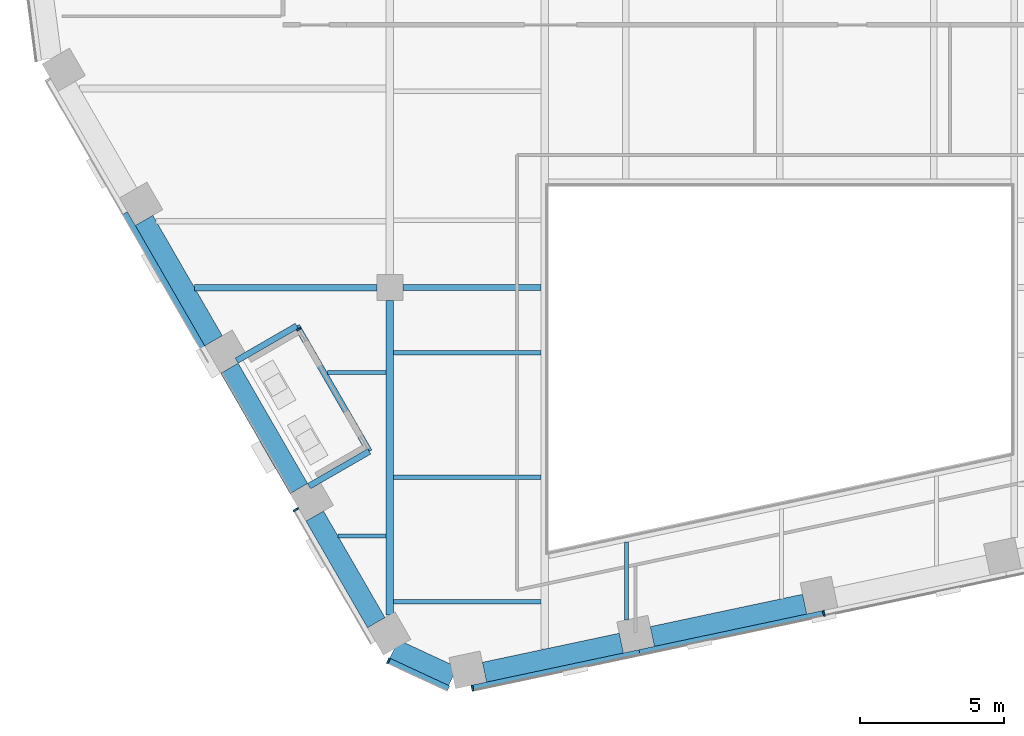
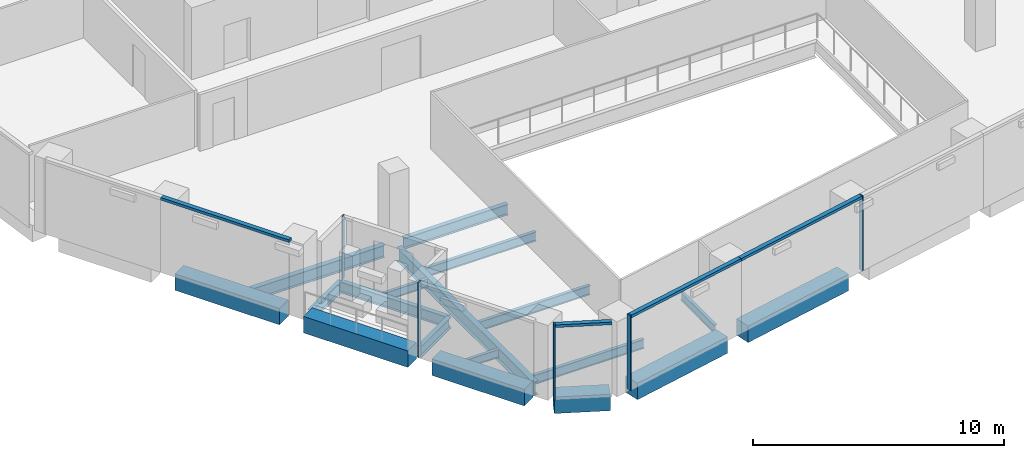
# One storey, part 2 of 25: 18 beams, 9 members, 4 elements without a shape of their own.
"""IFC4 building model written with IfcOpenShell, lengths in metres."""

import ifcopenshell
import ifcopenshell.guid

model = None  # the IFC model being written
_history = None  # IfcOwnerHistory: only IFC2X3 demands one
_inside = {}  # id of a spatial element -> (the spatial element, [elements in it])
_under = {}  # id of a project, library or spatial element -> (it, [spatial elements below it])
_declared = {}  # id of a project -> (the project, [libraries it declares])
_typed = {}  # id of a type object -> (the type object, [elements of that type])
_made_of = {}  # id of a material, layer set ... -> (it, [elements and type objects made of it])


def new_model(schema):
    """Start an empty IFC model of exactly this schema.

    Asked for "IFC4X3", IfcOpenShell would pick the latest addendum, in which some entities
    have other attributes; the version numbers below select the first issue.
    IFC2X3 requires an IfcOwnerHistory on every rooted entity: one is made here for all.
    """
    global model, _history
    if schema == "IFC4X3":
        model = ifcopenshell.file(schema_version=(4, 3, 0, 0))
    else:
        model = ifcopenshell.file(schema=schema)
    _inside.clear()
    _under.clear()
    _declared.clear()
    _typed.clear()
    _made_of.clear()
    _history = None
    if model.schema == "IFC2X3":
        org = make("IfcOrganization", Name="unknown")
        user = make(
            "IfcPersonAndOrganization",
            ThePerson=make("IfcPerson", FamilyName="unknown"),
            TheOrganization=org,
        )
        app = make(
            "IfcApplication",
            ApplicationDeveloper=org,
            Version="unknown",
            ApplicationFullName="unknown",
            ApplicationIdentifier="unknown",
        )
        _history = make(
            "IfcOwnerHistory",
            OwningUser=user,
            OwningApplication=app,
            ChangeAction="ADDED",
            CreationDate=0,
        )
    return model


def make(cls, **values):
    """One entity of the class cls with the attributes given. An attribute that is None is left unset."""
    return model.create_entity(
        cls, **{name: value for name, value in values.items() if value is not None}
    )


def rooted(cls, **values):
    """An entity with a GlobalId (a new one), such as an element, a storey or a relation."""
    return make(cls, GlobalId=ifcopenshell.guid.new(), OwnerHistory=_history, **values)


def si_unit(unit_type, name, prefix=None):
    """IfcSIUnit, for example si_unit("LENGTHUNIT", "METRE", prefix="MILLI")."""
    return make("IfcSIUnit", UnitType=unit_type, Prefix=prefix, Name=name)


def assignment(units):
    """IfcUnitAssignment: the units of a project."""
    return None if units is None else make("IfcUnitAssignment", Units=units)


def point(xyz):
    """IfcCartesianPoint."""
    return None if xyz is None else make("IfcCartesianPoint", Coordinates=xyz)


def direction(xyz):
    """IfcDirection."""
    return None if xyz is None else make("IfcDirection", DirectionRatios=xyz)


def frame(location, z_axis=None, x_axis=None):
    """IfcAxis2Placement3D, a coordinate frame: its origin and axes. An axis left out is left unset."""
    return make(
        "IfcAxis2Placement3D",
        Location=point(location),
        Axis=direction(z_axis),
        RefDirection=direction(x_axis),
    )


def frame_2d(location, x_axis=None):
    """IfcAxis2Placement2D, a coordinate frame in the plane: its origin and x axis."""
    return make(
        "IfcAxis2Placement2D", Location=point(location), RefDirection=direction(x_axis)
    )


def origin():
    """The frame at (0, 0, 0) with its axes left unset."""
    return frame((0.0, 0.0, 0.0))


def origin_2d():
    """The frame at (0, 0) in the plane with its x axis left unset."""
    return frame_2d((0.0, 0.0))


def place(relative_to, where):
    """IfcLocalPlacement: puts the frame where relative to a parent placement (None: the world)."""
    return make(
        "IfcLocalPlacement", PlacementRelTo=relative_to, RelativePlacement=where
    )


def context(
    kind, dimensions, precision=None, world=None, true_north=None, identifier=None
):
    """IfcGeometricRepresentationContext, for example the 3D "Model" context."""
    return make(
        "IfcGeometricRepresentationContext",
        ContextIdentifier=identifier,
        ContextType=kind,
        CoordinateSpaceDimension=dimensions,
        Precision=precision,
        WorldCoordinateSystem=world,
        TrueNorth=true_north,
    )


def subcontext(parent, identifier, kind, view, scale=None):
    """IfcGeometricRepresentationSubContext, for example "Body" below "Model"."""
    return make(
        "IfcGeometricRepresentationSubContext",
        ContextIdentifier=identifier,
        ContextType=kind,
        ParentContext=parent,
        TargetScale=scale,
        TargetView=view,
    )


def project(units=None, contexts=None):
    """IfcProject with its units and contexts."""
    return rooted(
        "IfcProject",
        Name="project",
        RepresentationContexts=contexts,
        UnitsInContext=assignment(units),
    )


def spatial(cls, under=None, at=None, **own):
    """A site, building, storey or space (cls), placed at a placement, below another one or the project."""
    s = rooted(cls, ObjectPlacement=at, **own)
    if under is not None:
        _under.setdefault(under.id(), (under, []))[1].append(s)
    return s


def profile(cls, at=None, kind="AREA", **sizes):
    """A parametric profile (cls). Its sizes go by their IFC names, for example OverallWidth=200.0."""
    return make(cls, ProfileType=kind, Position=at, **sizes)


def rectangle(**sizes):
    """IfcRectangleProfileDef."""
    return profile("IfcRectangleProfileDef", **sizes)


def i_section(**sizes):
    """IfcIShapeProfileDef."""
    return profile("IfcIShapeProfileDef", **sizes)


def extrude(swept, where, along, depth):
    """IfcExtrudedAreaSolid: the profile swept, set in the frame where, extruded along a direction by depth."""
    return make(
        "IfcExtrudedAreaSolid",
        SweptArea=swept,
        Position=where,
        ExtrudedDirection=direction(along),
        Depth=depth,
    )


def shape(context_of_items, identifier, shape_type, items):
    """IfcShapeRepresentation: the items that make up one representation, for example the "Body"."""
    return make(
        "IfcShapeRepresentation",
        ContextOfItems=context_of_items,
        RepresentationIdentifier=identifier,
        RepresentationType=shape_type,
        Items=items,
    )


def material(Name=None, Category=None):
    """IfcMaterial."""
    return make("IfcMaterial", Name=Name, Category=Category)


def layer(
    of_material, thickness, ventilated=None, Name=None, Category=None, Priority=None
):
    """IfcMaterialLayer: one layer of a wall or slab, of a material (None: an air gap)."""
    return make(
        "IfcMaterialLayer",
        Material=of_material,
        LayerThickness=thickness,
        IsVentilated=ventilated,
        Name=Name,
        Category=Category,
        Priority=Priority,
    )


def layer_set(layers, Name=None):
    """IfcMaterialLayerSet."""
    return make("IfcMaterialLayerSet", MaterialLayers=layers, LayerSetName=Name)


def material_profile(
    of_material, cross_section, Name=None, Category=None, Priority=None
):
    """IfcMaterialProfile: a cross section and its material."""
    return make(
        "IfcMaterialProfile",
        Name=Name,
        Material=of_material,
        Profile=cross_section,
        Priority=Priority,
        Category=Category,
    )


def profile_set(profiles, Name=None, composite=None):
    """IfcMaterialProfileSet."""
    return make(
        "IfcMaterialProfileSet",
        Name=Name,
        MaterialProfiles=profiles,
        CompositeProfile=composite,
    )


def made_of(thing, what):
    """Note that an element or type object is made of a material, layer set ...; save() writes the relation."""
    if what is not None:
        _made_of.setdefault(what.id(), (what, []))[1].append(thing)
    return thing


def type_object(cls, material=None, **own):
    """A type object (cls), such as IfcWallType, which elements share."""
    return made_of(rooted(cls, **own), material)


def element(
    cls,
    number,
    at=None,
    inside=None,
    cuts=None,
    type_object=None,
    material=None,
    context=None,
    identifier="Body",
    shape_type=None,
    held_by="IfcProductDefinitionShape",
    body=None,
    shapes=None,
    **own,
):
    """One element of the class cls, such as IfcWall. Its Tag is "e" and its number.

    at: its placement. inside: the storey or other place that contains it. cuts: it is an
    opening in that element (IfcRelVoidsElement). A single representation is given by context,
    identifier, shape_type and body (its items); several are given by shapes. held_by: the class
    of the entity that holds the representations. save() writes the other relations.
    """
    e = rooted(cls, Tag="e%d" % number, ObjectPlacement=at, **own)
    if body is not None:
        shapes = [shape(context, identifier, shape_type, body)]
    if shapes is not None:
        e.Representation = make(held_by, Representations=shapes)
    if inside is not None:
        _inside.setdefault(inside.id(), (inside, []))[1].append(e)
    if cuts is not None:
        rooted(
            "IfcRelVoidsElement", RelatingBuildingElement=cuts, RelatedOpeningElement=e
        )
    if type_object is not None:
        _typed.setdefault(type_object.id(), (type_object, []))[1].append(e)
    return made_of(e, material)


def aggregate(whole, parts):
    """IfcRelAggregates: a whole, such as a stair, and the parts it consists of."""
    return rooted("IfcRelAggregates", RelatingObject=whole, RelatedObjects=parts)


def save(model, path):
    """Write the relations noted so far, then the file.

    IfcRelAggregates (storeys below a building ...), IfcRelContainedInSpatialStructure (elements
    in a storey), IfcRelDefinesByType, IfcRelAssociatesMaterial and IfcRelDeclares: one each for
    every whole, place, type object, material and project.
    """
    for whole, parts in _under.values():
        aggregate(whole, parts)
    for where, things in _inside.values():
        rooted(
            "IfcRelContainedInSpatialStructure",
            RelatedElements=things,
            RelatingStructure=where,
        )
    for kind, things in _typed.values():
        rooted("IfcRelDefinesByType", RelatedObjects=things, RelatingType=kind)
    for what, things in _made_of.values():
        rooted("IfcRelAssociatesMaterial", RelatedObjects=things, RelatingMaterial=what)
    for by, libraries in _declared.values():
        rooted("IfcRelDeclares", RelatingContext=by, RelatedDefinitions=libraries)
    model.write(path)


model = new_model("IFC4")

# Units and contexts
model_context = context("Model", 3, precision=1e-05, world=origin(), true_north=direction((0.0, 1.0)))
body_context = subcontext(model_context, "Body", "Model", "MODEL_VIEW")
ifc_project = project(units=[si_unit("LENGTHUNIT", "METRE"), si_unit("AREAUNIT", "SQUARE_METRE"), si_unit("VOLUMEUNIT", "CUBIC_METRE"), si_unit("PLANEANGLEUNIT", "RADIAN"), si_unit("MASSUNIT", "GRAM", prefix="KILO")], contexts=[model_context])

# Site, building, storey
site_placement = place(None, origin())
site = spatial("IfcSite", under=ifc_project, at=site_placement, CompositionType="ELEMENT")
building_placement = place(site_placement, origin())
building = spatial("IfcBuilding", under=site, at=building_placement, Name="Isthmus Gate Tower", CompositionType="ELEMENT")
storey_placement = place(building_placement, frame((0.0, 0.0, 249.14990234375)))
storey = spatial("IfcBuildingStorey", under=building, at=storey_placement, Name="L63", CompositionType="ELEMENT", Elevation=249.14990234375)

# Curtain wall, member
ifc_material_1 = material(Name="Aluminium, pale champagne anodised", Category="aluminium")
ifc_layer_1 = layer(ifc_material_1, 0.199951171875)
ifc_layer_set_1 = layer_set([ifc_layer_1], Name="CW-1 UNITISED CURTAIN WALL 200 DEEP")
curtain_wall_type_1 = type_object("IfcCurtainWallType", Name="CW-1 UNITISED CURTAIN WALL 200 DEEP", PredefinedType="NOTDEFINED", material=ifc_layer_set_1)
curtain_wall_1_placement = place(storey_placement, origin())
curtain_wall_1 = element("IfcCurtainWall", 1, at=curtain_wall_1_placement, inside=storey, type_object=curtain_wall_type_1, Name="CW-1 SW L63", PredefinedType="NOTDEFINED")
ifc_material_2 = material(Name="Aluminium, pale champagne anodised", Category="aluminium")
ifc_material_profile_1 = material_profile(ifc_material_2, rectangle(XDim=0.06005859375, YDim=0.199951171875, at=origin_2d()), Name="60x200")
ifc_profile_set_1 = profile_set([ifc_material_profile_1], Name="Aluminium, pale champagne anodised")
member_type_1 = type_object("IfcMemberType", Name="CW-1 MULLION 60 X 200", PredefinedType="MULLION", material=ifc_profile_set_1)
member_1_placement = place(storey_placement, frame((-16.751953125, -21.184814453125, 0.0), z_axis=(0.0, 0.0, 1.0), x_axis=(0.5, -0.866025403784, 0.0)))
member_1 = element("IfcMember", 2, at=member_1_placement, type_object=member_type_1, Name="CW-1 mullion", PredefinedType="MULLION", context=body_context, shape_type="SweptSolid", body=[
    extrude(rectangle(XDim=0.06005859375, YDim=0.199951171875, at=origin_2d()), origin(), (0.0, 0.0, 1.0), 3.650146484375),
])

curtain_wall_2_placement = place(storey_placement, origin())
curtain_wall_2 = element("IfcCurtainWall", 3, at=curtain_wall_2_placement, inside=storey, type_object=curtain_wall_type_1, Name="CW-1 SW-S L63", PredefinedType="NOTDEFINED")
member_2_placement = place(storey_placement, frame((-13.54833984375, -26.419677734375, 0.0), z_axis=(0.0, 0.0, 1.0), x_axis=(0.907256261367, -0.420578264073, 0.0)))
member_2 = element("IfcMember", 4, at=member_2_placement, type_object=member_type_1, Name="CW-1 mullion", PredefinedType="MULLION", context=body_context, shape_type="SweptSolid", body=[
    extrude(rectangle(XDim=0.06005859375, YDim=0.199951171875, at=origin_2d()), origin(), (0.0, 0.0, 1.0), 3.650146484375),
])

# Curtain wall, members
curtain_wall_3_placement = place(storey_placement, origin())
curtain_wall_3 = element("IfcCurtainWall", 5, at=curtain_wall_3_placement, inside=storey, type_object=curtain_wall_type_1, Name="CW-1 S L63", PredefinedType="NOTDEFINED")
member_3_placement = place(storey_placement, frame((-10.6376953125, -27.36328125, 0.0), z_axis=(0.0, 0.0, 1.0), x_axis=(0.978147600734, 0.207911690818, 0.0)))
member_3 = element("IfcMember", 6, at=member_3_placement, type_object=member_type_1, Name="CW-1 mullion", PredefinedType="MULLION", context=body_context, shape_type="SweptSolid", body=[
    extrude(rectangle(XDim=0.06005859375, YDim=0.199951171875, at=origin_2d()), origin(), (0.0, 0.0, 1.0), 3.650146484375),
])
member_4_placement = place(storey_placement, frame((1.5244140625, -24.7783203125, 0.0), z_axis=(0.0, 0.0, 1.0), x_axis=(0.978147600734, 0.207911690818, 0.0)))
member_4 = element("IfcMember", 7, at=member_4_placement, type_object=member_type_1, Name="CW-1 mullion", PredefinedType="MULLION", context=body_context, shape_type="SweptSolid", body=[
    extrude(rectangle(XDim=0.06005859375, YDim=0.199951171875, at=origin_2d()), origin(), (0.0, 0.0, 1.0), 3.650146484375),
])

# Member
ifc_material_3 = material(Name="Aluminium, pale champagne anodised", Category="aluminium")
ifc_material_profile_2 = material_profile(ifc_material_3, rectangle(XDim=0.199951171875, YDim=0.1298828125, at=origin_2d()), Name="200x130")
ifc_profile_set_2 = profile_set([ifc_material_profile_2], Name="Aluminium, pale champagne anodised")
member_type_2 = type_object("IfcMemberType", Name="CW-1 TRANSOM 200 X 130", PredefinedType="USERDEFINED", material=ifc_profile_set_2)
member_5_placement = place(storey_placement, frame((-22.677490234375, -10.92138671875, 3.585205078125), z_axis=(0.500008496284, -0.866020498397, 0.0), x_axis=(0.866020498397, 0.500008496284, 0.0)))
member_5 = element("IfcMember", 8, at=member_5_placement, type_object=member_type_2, Name="CW-1 transom", ObjectType="TRANSOM", PredefinedType="USERDEFINED", context=body_context, shape_type="SweptSolid", body=[
    extrude(rectangle(XDim=0.199951171875, YDim=0.1298828125, at=origin_2d()), origin(), (0.0, 0.0, 1.0), 5.91064453125),
])

aggregate(curtain_wall_1, [member_5, member_1])

member_6_placement = place(storey_placement, frame((-13.521240234375, -26.432373046875, 3.585205078125), z_axis=(0.907246225564, -0.420599912268, 0.0), x_axis=(0.420599912268, 0.907246225564, 0.0)))
member_6 = element("IfcMember", 9, at=member_6_placement, type_object=member_type_2, Name="CW-1 transom", ObjectType="TRANSOM", PredefinedType="USERDEFINED", context=body_context, shape_type="SweptSolid", body=[
    extrude(rectangle(XDim=0.199951171875, YDim=0.1298828125, at=origin_2d()), origin(), (0.0, 0.0, 1.0), 2.258544921875),
])

aggregate(curtain_wall_2, [member_2, member_6])

member_7_placement = place(storey_placement, frame((-10.6083984375, -27.357177734375, 3.585205078125), z_axis=(0.978148511799, 0.207907404549, 0.0), x_axis=(-0.207907404549, 0.978148511799, 0.0)))
member_7 = element("IfcMember", 10, at=member_7_placement, type_object=member_type_2, Name="CW-1 transom", ObjectType="TRANSOM", PredefinedType="USERDEFINED", context=body_context, shape_type="SweptSolid", body=[
    extrude(rectangle(XDim=0.199951171875, YDim=0.1298828125, at=origin_2d()), origin(), (0.0, 0.0, 1.0), 5.8818359375),
])

member_8_placement = place(storey_placement, frame((-4.85498046875, -26.13427734375, 3.585205078125), z_axis=(0.978142886198, 0.207933869729, 0.0), x_axis=(-0.207933869729, 0.978142886198, 0.0)))
member_8 = element("IfcMember", 11, at=member_8_placement, type_object=member_type_2, Name="CW-1 transom", ObjectType="TRANSOM", PredefinedType="USERDEFINED", context=body_context, shape_type="SweptSolid", body=[
    extrude(rectangle(XDim=0.199951171875, YDim=0.1298828125, at=origin_2d()), origin(), (0.0, 0.0, 1.0), 6.49169921875),
])

aggregate(curtain_wall_3, [member_3, member_7, member_8, member_4])

# Curtain wall, member
ifc_material_4 = material(Name="Aluminium, pale champagne anodised", Category="aluminium")
ifc_layer_2 = layer(ifc_material_4, 0.14990234375)
ifc_layer_set_2 = layer_set([ifc_layer_2], Name="CW-6 LOGGIA BACK WALL GLAZING 150 DEEP")
curtain_wall_type_2 = type_object("IfcCurtainWallType", Name="CW-6 LOGGIA BACK WALL GLAZING 150 DEEP", PredefinedType="NOTDEFINED", material=ifc_layer_set_2)
curtain_wall_4_placement = place(storey_placement, origin())
curtain_wall_4 = element("IfcCurtainWall", 12, at=curtain_wall_4_placement, inside=storey, type_object=curtain_wall_type_2, Name="CW-6 SW L63", PredefinedType="NOTDEFINED")
ifc_material_5 = material(Name="Aluminium, pale champagne anodised", Category="aluminium")
ifc_material_profile_3 = material_profile(ifc_material_5, rectangle(XDim=0.06005859375, YDim=0.14990234375, at=origin_2d()), Name="60x150")
ifc_profile_set_3 = profile_set([ifc_material_profile_3], Name="Aluminium, pale champagne anodised")
member_type_3 = type_object("IfcMemberType", Name="CW-6 MULLION 60 X 150", PredefinedType="MULLION", material=ifc_profile_set_3)
member_9_placement = place(storey_placement, frame((-16.660888671875, -14.9423828125, 0.0), z_axis=(0.0, 0.0, 1.0), x_axis=(0.5, -0.866025403784, 0.0)))
member_9 = element("IfcMember", 13, at=member_9_placement, type_object=member_type_3, Name="CW-6 mullion", PredefinedType="MULLION", context=body_context, shape_type="SweptSolid", body=[
    extrude(rectangle(XDim=0.06005859375, YDim=0.14990234375, at=origin_2d()), origin(), (0.0, 0.0, 1.0), 3.050048828125),
])
aggregate(curtain_wall_4, [member_9])

# Beams
ifc_material_6 = material(Name="Concrete f'c 50 MPa", Category="concrete")
ifc_material_profile_4 = material_profile(ifc_material_6, rectangle(XDim=0.699951171875, YDim=0.800048828125, at=origin_2d()), Name="RC 700X800")
ifc_profile_set_4 = profile_set([ifc_material_profile_4], Name="Concrete f'c 50 MPa")
beam_type_1 = type_object("IfcBeamType", Name="RC SPANDREL 700 X 800", PredefinedType="SPANDREL", material=ifc_profile_set_4)
beam_1_placement = place(storey_placement, frame((0.863525390625, -24.458740234375, -0.39990234375), z_axis=(-0.978155513612, -0.207874460167, 0.0), x_axis=(0.207874460167, -0.978155513612, 0.0)))
element("IfcBeam", 14, at=beam_1_placement, inside=storey, type_object=beam_type_1, Name="str-spandrel-L63-13", PredefinedType="SPANDREL", context=body_context, shape_type="SweptSolid", body=[
    extrude(rectangle(XDim=0.699951171875, YDim=0.800048828125, at=origin_2d()), origin(), (0.0, 0.0, 1.0), 5.391845703125),
])
beam_2_placement = place(storey_placement, frame((-5.486572265625, -25.808349609375, -0.39990234375), z_axis=(-0.978141291228, -0.207941372495, 0.0), x_axis=(0.207941372495, -0.978141291228, 0.0)))
element("IfcBeam", 15, at=beam_2_placement, inside=storey, type_object=beam_type_1, Name="str-spandrel-L63-14", PredefinedType="SPANDREL", context=body_context, shape_type="SweptSolid", body=[
    extrude(rectangle(XDim=0.699951171875, YDim=0.800048828125, at=origin_2d()), origin(), (0.0, 0.0, 1.0), 4.842041015625),
])
beam_3_placement = place(storey_placement, frame((-11.31689453125, -26.958251953125, -0.39990234375), z_axis=(-0.907254968276, 0.42058105347, 0.0), x_axis=(-0.42058105347, -0.907254968276, 0.0)))
element("IfcBeam", 16, at=beam_3_placement, inside=storey, type_object=beam_type_1, Name="str-spandrel-L63-15", PredefinedType="SPANDREL", context=body_context, shape_type="SweptSolid", body=[
    extrude(rectangle(XDim=0.699951171875, YDim=0.800048828125, at=origin_2d()), origin(), (0.0, 0.0, 1.0), 2.245849609375),
])
beam_4_placement = place(storey_placement, frame((-13.971923828125, -25.10009765625, -0.39990234375), z_axis=(-0.499996907167, 0.866027189425, 0.0), x_axis=(-0.866027189425, -0.499996907167, 0.0)))
element("IfcBeam", 17, at=beam_4_placement, inside=storey, type_object=beam_type_1, Name="str-spandrel-L63-16", PredefinedType="SPANDREL", context=body_context, shape_type="SweptSolid", body=[
    extrude(rectangle(XDim=0.699951171875, YDim=0.800048828125, at=origin_2d()), origin(), (0.0, 0.0, 1.0), 4.2607421875),
])
for number, where, z_axis, x_axis, name in (
    (18, (-16.652099609375, -20.45751953125, -0.39990234375), (-0.500003616288, 0.866023315909, 0.0), (-0.866023315909, -0.500003616288, 0.0), "str-spandrel-L63-17"),
    (19, (-19.607421875, -15.3388671875, -0.39990234375), (-0.500003616288, 0.866023315909, 0.0), (-0.866023315909, -0.500003616288, 0.0), "str-spandrel-L63-18"),
):
    element("IfcBeam", number, at=place(storey_placement, frame(where, z_axis=z_axis, x_axis=x_axis)), inside=storey, type_object=beam_type_1, Name=name, PredefinedType="SPANDREL", context=body_context, shape_type="SweptSolid", body=[
        extrude(rectangle(XDim=0.699951171875, YDim=0.800048828125, at=origin_2d()), origin(), (0.0, 0.0, 1.0), 4.810546875),
    ])
ifc_material_7 = material(Name="Structural steel ASTM A992 Gr 50", Category="steel")
ifc_material_profile_5 = material_profile(ifc_material_7, i_section(OverallWidth=0.1396484375, OverallDepth=0.4033203125, WebThickness=0.00634765625, FlangeThickness=0.010986328125, at=origin_2d()), Name="W16X31")
ifc_profile_set_5 = profile_set([ifc_material_profile_5], Name="Structural steel ASTM A992 Gr 50")
beam_type_2 = type_object("IfcBeamType", Name="STEEL FLOOR BEAM W16X31", PredefinedType="JOIST", material=ifc_profile_set_5)
beam_5_placement = place(storey_placement, frame((-15.30126953125, -22.097412109375, -0.3515625), z_axis=(1.0, 0.0, 0.0), x_axis=(0.0, 1.0, 0.0)))
element("IfcBeam", 20, at=beam_5_placement, inside=storey, type_object=beam_type_2, Name="str-beam-L63-04-00", PredefinedType="JOIST", context=body_context, shape_type="SweptSolid", body=[
    extrude(i_section(OverallWidth=0.1396484375, OverallDepth=0.4033203125, WebThickness=0.00634765625, FlangeThickness=0.010986328125, at=origin_2d()), origin(), (0.0, 0.0, 1.0), 1.67431640625),
])
beam_6_placement = place(storey_placement, frame((-15.668701171875, -16.44189453125, -0.3515625), z_axis=(1.0, 0.0, 0.0), x_axis=(0.0, 1.0, 0.0)))
element("IfcBeam", 21, at=beam_6_placement, inside=storey, type_object=beam_type_2, Name="str-beam-L63-04-01", PredefinedType="JOIST", context=body_context, shape_type="SweptSolid", body=[
    extrude(i_section(OverallWidth=0.1396484375, OverallDepth=0.4033203125, WebThickness=0.00634765625, FlangeThickness=0.010986328125, at=origin_2d()), origin(), (0.0, 0.0, 1.0), 2.041748046875),
])
beam_7_placement = place(storey_placement, frame((-5.314208984375, -25.005126953125, -0.3515625), z_axis=(0.0, 1.0, 0.0), x_axis=(-1.0, 0.0, 0.0)))
element("IfcBeam", 22, at=beam_7_placement, inside=storey, type_object=beam_type_2, Name="str-beam-L63-09-00", PredefinedType="JOIST", context=body_context, shape_type="SweptSolid", body=[
    extrude(i_section(OverallWidth=0.1396484375, OverallDepth=0.4033203125, WebThickness=0.00634765625, FlangeThickness=0.010986328125, at=origin_2d()), origin(), (0.0, 0.0, 1.0), 2.692138671875),
])
ifc_material_8 = material(Name="Structural steel ASTM A992 Gr 50", Category="steel")
ifc_material_profile_6 = material_profile(ifc_material_8, i_section(OverallWidth=0.15234375, OverallDepth=0.45068359375, WebThickness=0.0078125, FlangeThickness=0.010986328125, at=origin_2d()), Name="W18X35")
ifc_profile_set_6 = profile_set([ifc_material_profile_6], Name="Structural steel ASTM A992 Gr 50")
beam_type_3 = type_object("IfcBeamType", Name="STEEL FLOOR BEAM W18X35", PredefinedType="JOIST", material=ifc_profile_set_6)
for number, where, z_axis, x_axis, name in (
    (23, (-13.373046875, -24.3759765625, -0.375244140625), (1.0, 0.0, 0.0), (0.0, 1.0, 0.0), "str-beam-L63-06-00"),
    (24, (-13.373046875, -20.0673828125, -0.375244140625), (1.0, 0.0, 0.0), (0.0, 1.0, 0.0), "str-beam-L63-06-01"),
    (25, (-13.373046875, -15.759033203125, -0.375244140625), (1.0, 0.0, 0.0), (0.0, 1.0, 0.0), "str-beam-L63-06-02"),
):
    element("IfcBeam", number, at=place(storey_placement, frame(where, z_axis=z_axis, x_axis=x_axis)), inside=storey, type_object=beam_type_3, Name=name, PredefinedType="JOIST", context=body_context, shape_type="SweptSolid", body=[
        extrude(i_section(OverallWidth=0.15234375, OverallDepth=0.45068359375, WebThickness=0.0078125, FlangeThickness=0.010986328125, at=origin_2d()), origin(), (0.0, 0.0, 1.0), 5.109619140625),
    ])
ifc_material_9 = material(Name="Structural steel ASTM A992 Gr 50", Category="steel")
ifc_material_profile_7 = material_profile(ifc_material_9, i_section(OverallWidth=0.20947265625, OverallDepth=0.533447265625, WebThickness=0.009521484375, FlangeThickness=0.015869140625, at=origin_2d()), Name="W21X62")
ifc_profile_set_7 = profile_set([ifc_material_profile_7], Name="Structural steel ASTM A992 Gr 50")
beam_type_4 = type_object("IfcBeamType", Name="STEEL GIRDER W21X62", PredefinedType="BEAM", material=ifc_profile_set_7)
beam_8_placement = place(storey_placement, frame((-13.050048828125, -13.5, -0.41650390625), z_axis=(1.0, 0.0, 0.0), x_axis=(0.0, 1.0, 0.0)))
element("IfcBeam", 26, at=beam_8_placement, inside=storey, type_object=beam_type_4, Name="str-girder-L63-02", PredefinedType="BEAM", context=body_context, shape_type="SweptSolid", body=[
    extrude(i_section(OverallWidth=0.20947265625, OverallDepth=0.533447265625, WebThickness=0.009521484375, FlangeThickness=0.015869140625, at=origin_2d()), origin(), (0.0, 0.0, 1.0), 4.78662109375),
])
ifc_material_10 = material(Name="Structural steel ASTM A992 Gr 50", Category="steel")
ifc_material_profile_8 = material_profile(ifc_material_10, i_section(OverallWidth=0.228515625, OverallDepth=0.603271484375, WebThickness=0.010986328125, FlangeThickness=0.014404296875, at=origin_2d()), Name="W24X68")
ifc_profile_set_8 = profile_set([ifc_material_profile_8], Name="Structural steel ASTM A992 Gr 50")
beam_type_5 = type_object("IfcBeamType", Name="STEEL GIRDER W24X68", PredefinedType="BEAM", material=ifc_profile_set_8)
beam_9_placement = place(storey_placement, frame((-20.264892578125, -13.5, -0.451416015625), z_axis=(1.0, 0.0, 0.0), x_axis=(0.0, 1.0, 0.0)))
element("IfcBeam", 27, at=beam_9_placement, inside=storey, type_object=beam_type_5, Name="str-girder-L63-01", PredefinedType="BEAM", context=body_context, shape_type="SweptSolid", body=[
    extrude(i_section(OverallWidth=0.228515625, OverallDepth=0.603271484375, WebThickness=0.010986328125, FlangeThickness=0.014404296875, at=origin_2d()), origin(), (0.0, 0.0, 1.0), 6.31494140625),
])
ifc_material_11 = material(Name="Structural steel ASTM A992 Gr 50", Category="steel")
ifc_material_profile_9 = material_profile(ifc_material_11, i_section(OverallWidth=0.25390625, OverallDepth=0.679443359375, WebThickness=0.010986328125, FlangeThickness=0.015869140625, at=origin_2d()), Name="W27X84")
ifc_profile_set_9 = profile_set([ifc_material_profile_9], Name="Structural steel ASTM A992 Gr 50")
beam_type_6 = type_object("IfcBeamType", Name="STEEL GIRDER W27X84", PredefinedType="BEAM", material=ifc_profile_set_9)
beam_10_placement = place(storey_placement, frame((-13.5, -24.82763671875, -0.489501953125), z_axis=(0.0, 1.0, 0.0), x_axis=(-1.0, 0.0, 0.0)))
element("IfcBeam", 28, at=beam_10_placement, inside=storey, type_object=beam_type_6, Name="str-girder-L63-05", PredefinedType="BEAM", context=body_context, shape_type="SweptSolid", body=[
    extrude(i_section(OverallWidth=0.25390625, OverallDepth=0.679443359375, WebThickness=0.010986328125, FlangeThickness=0.015869140625, at=origin_2d()), origin(), (0.0, 0.0, 1.0), 10.877685546875),
])
ifc_material_12 = material(Name="Structural steel ASTM A992 Gr 50", Category="steel")
ifc_material_profile_10 = material_profile(ifc_material_12, i_section(OverallWidth=0.20947265625, OverallDepth=0.533447265625, WebThickness=0.009521484375, FlangeThickness=0.015869140625, at=origin_2d()), Name="W21X62")
ifc_profile_set_10 = profile_set([ifc_material_profile_10], Name="Structural steel ASTM A992 Gr 50")
beam_type_7 = type_object("IfcBeamType", Name="STEEL TRIMMER W21X62", PredefinedType="BEAM", material=ifc_profile_set_10)
beam_11_placement = place(storey_placement, frame((-16.72412109375, -14.823486328125, -0.41650390625), z_axis=(0.50000451406, -0.866022797575, 0.0), x_axis=(0.866022797575, 0.50000451406, 0.0)))
element("IfcBeam", 29, at=beam_11_placement, inside=storey, type_object=beam_type_7, Name="str-loggiatrim-L63-03-B", PredefinedType="BEAM", context=body_context, shape_type="SweptSolid", body=[
    extrude(i_section(OverallWidth=0.20947265625, OverallDepth=0.533447265625, WebThickness=0.009521484375, FlangeThickness=0.015869140625, at=origin_2d()), origin(), (0.0, 0.0, 1.0), 5.02001953125),
])
for number, where, z_axis, x_axis, name in (
    (30, (-18.806640625, -16.02587890625, -0.41650390625), (0.866016514357, 0.500015396624, 0.0), (-0.500015396624, 0.866016514357, 0.0), "str-loggiatrim-L63-03-A"),
    (31, (-16.296630859375, -20.373291015625, -0.41650390625), (0.866016514357, 0.500015396624, 0.0), (-0.500015396624, 0.866016514357, 0.0), "str-loggiatrim-L63-03-C"),
):
    element("IfcBeam", number, at=place(storey_placement, frame(where, z_axis=z_axis, x_axis=x_axis)), inside=storey, type_object=beam_type_7, Name=name, PredefinedType="BEAM", context=body_context, shape_type="SweptSolid", body=[
        extrude(i_section(OverallWidth=0.20947265625, OverallDepth=0.533447265625, WebThickness=0.009521484375, FlangeThickness=0.015869140625, at=origin_2d()), origin(), (0.0, 0.0, 1.0), 2.40478515625),
    ])

save(model, "model.ifc")
